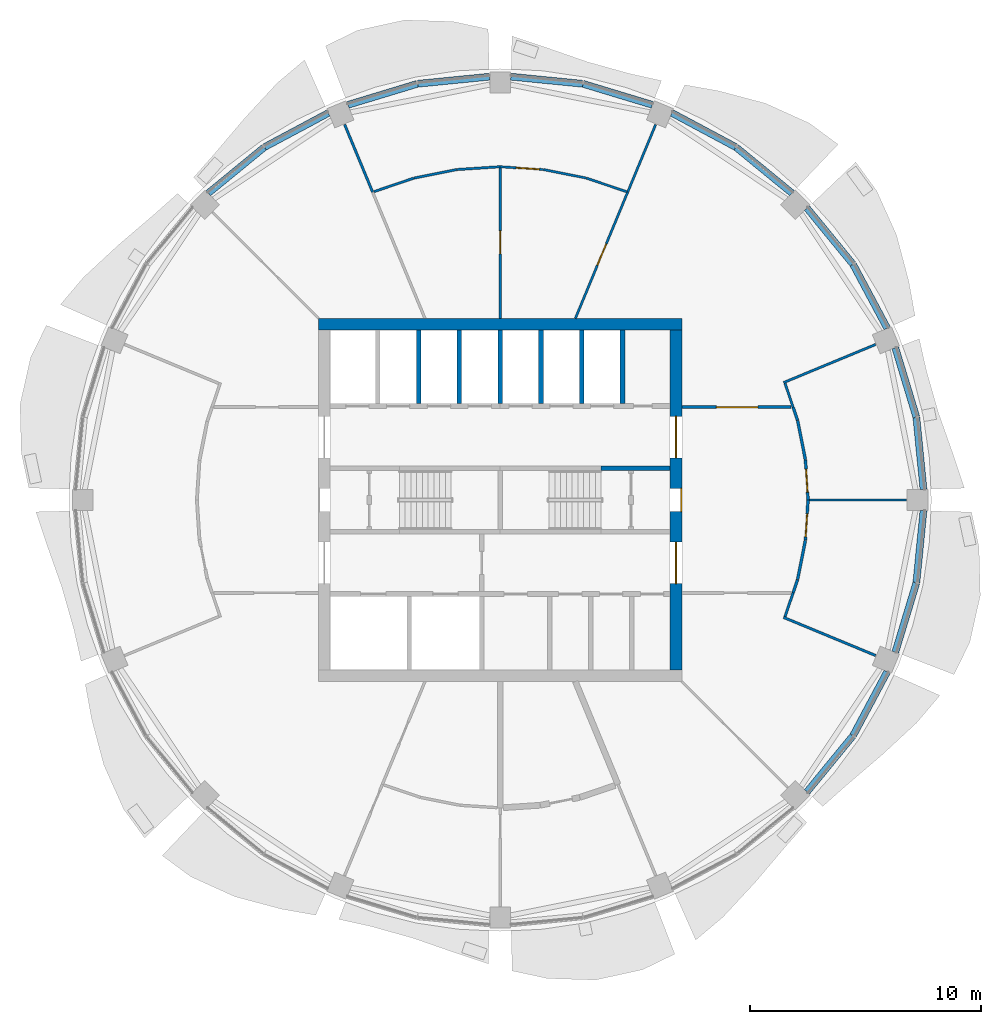
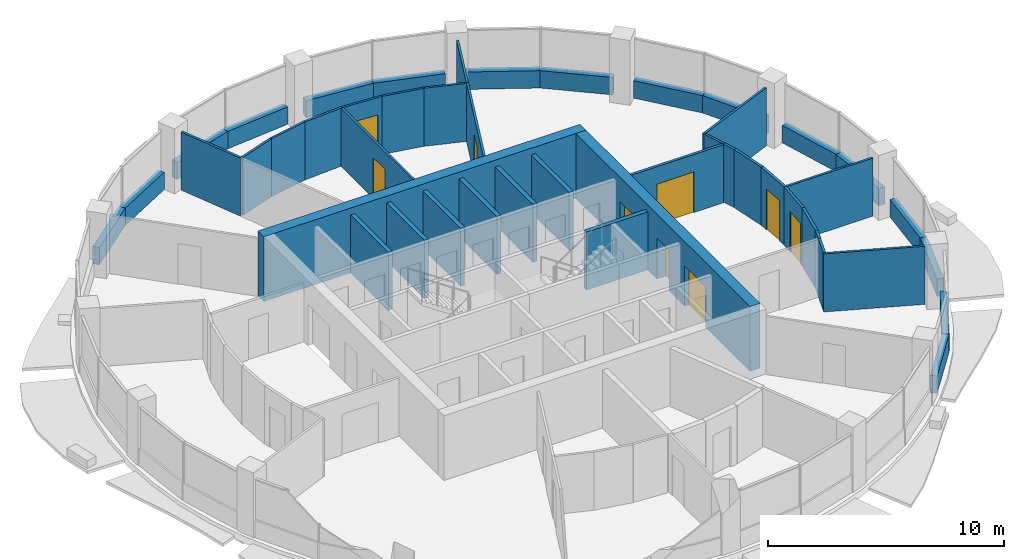
# One storey, part 10 of 15: 47 walls, 9 doors, 9 openings.
"""IFC4 building model written with IfcOpenShell, lengths in metres."""

from ifc_helpers import new_model, si_unit, direction, frame, frame_2d, origin, place, context, subcontext, project, spatial, rectangle, extrude, material, layer, layer_set, type_object, element, fill, save


model = new_model("IFC4")

# Units and contexts
model_context = context("Model", 3, precision=1e-05, world=origin(), true_north=direction((0.0, 1.0)))
body_context = subcontext(model_context, "Body", "Model", "MODEL_VIEW")
ifc_project = project(units=[si_unit("LENGTHUNIT", "METRE"), si_unit("AREAUNIT", "SQUARE_METRE"), si_unit("VOLUMEUNIT", "CUBIC_METRE"), si_unit("PLANEANGLEUNIT", "RADIAN"), si_unit("MASSUNIT", "GRAM", prefix="KILO")], contexts=[model_context])

# Site, building, storey
site_placement = place(None, origin())
site = spatial("IfcSite", under=ifc_project, at=site_placement, CompositionType="ELEMENT")
building_placement = place(site_placement, origin())
building = spatial("IfcBuilding", under=site, at=building_placement, Name="Polderwave Tower", CompositionType="ELEMENT")
storey_placement = place(building_placement, frame((0.0, 0.0, 170.89990234375)))
storey = spatial("IfcBuildingStorey", under=building, at=storey_placement, Name="L45", CompositionType="ELEMENT", Elevation=170.89990234375)

# Wall
ifc_material_1 = material(Name="Concrete C60/75", Category="concrete")
ifc_layer_1 = layer(ifc_material_1, 0.5)
ifc_layer_set_1 = layer_set([ifc_layer_1], Name="CORE WALL 500 C60/75")
wall_type_1 = type_object("IfcWallType", Name="CORE WALL 500 C60/75", PredefinedType="SHEAR", material=ifc_layer_set_1)
wall_1_placement = place(storey_placement, frame((-7.8740234375, 7.6240234375, 0.0), z_axis=(0.0, 0.0, 1.0), x_axis=(1.0, 0.0, 0.0)))
element("IfcWall", 1, at=wall_1_placement, inside=storey, type_object=wall_type_1, Name="ST-CORE-L45-N", PredefinedType="SHEAR", context=body_context, shape_type="SweptSolid", body=[
    extrude(rectangle(XDim=15.748046875, YDim=0.5, at=frame_2d((7.8740234375, 0.0))), origin(), (0.0, 0.0, 1.0), 3.35009765625),
])

# Wall, openings, doors
wall_2_placement = place(storey_placement, frame((7.6240234375, -7.3740234375, 0.0), z_axis=(0.0, 0.0, 1.0), x_axis=(0.0, 1.0, 0.0)))
wall_2 = element("IfcWall", 2, at=wall_2_placement, inside=storey, type_object=wall_type_1, Name="ST-CORE-L45-E", PredefinedType="SHEAR", context=body_context, shape_type="SweptSolid", body=[
    extrude(rectangle(XDim=14.748046875, YDim=0.5, at=frame_2d((7.3740234375, 0.0))), origin(), (0.0, 0.0, 1.0), 3.35009765625),
])
opening_1_placement = place(wall_2_placement, frame((6.8740234375, 0.0, 0.0)))
opening_1 = element("IfcOpeningElement", 3, at=opening_1_placement, cuts=wall_2, Name="Opening L45-D23", PredefinedType="OPENING", context=body_context, shape_type="SweptSolid", body=[
    extrude(rectangle(XDim=1.0, YDim=2.10009765625, at=frame_2d((0.5, 1.050048828125))), frame((0.0, 0.260009765625, 0.0), z_axis=(0.0, -1.0, 0.0), x_axis=(1.0, 0.0, 0.0)), (0.0, 0.0, 1.0), 0.52001953125),
])
opening_2_placement = place(wall_2_placement, frame((3.74951171875, 0.0, 0.0)))
opening_2 = element("IfcOpeningElement", 4, at=opening_2_placement, cuts=wall_2, Name="Opening L45-D24", PredefinedType="OPENING", context=body_context, shape_type="SweptSolid", body=[
    extrude(rectangle(XDim=1.800048828125, YDim=2.10009765625, at=frame_2d((0.89990234375, 1.050048828125))), frame((0.0, 0.260009765625, 0.0), z_axis=(0.0, -1.0, 0.0), x_axis=(1.0, 0.0, 0.0)), (0.0, 0.0, 1.0), 0.52001953125),
])
opening_3_placement = place(wall_2_placement, frame((9.198486328125, 0.0, 0.0)))
opening_3 = element("IfcOpeningElement", 5, at=opening_3_placement, cuts=wall_2, Name="Opening L45-D25", PredefinedType="OPENING", context=body_context, shape_type="SweptSolid", body=[
    extrude(rectangle(XDim=1.800048828125, YDim=2.10009765625, at=frame_2d((0.89990234375, 1.050048828125))), frame((0.0, 0.260009765625, 0.0), z_axis=(0.0, -1.0, 0.0), x_axis=(1.0, 0.0, 0.0)), (0.0, 0.0, 1.0), 0.52001953125),
])
ifc_material_2 = material(Name="Steel fire door", Category="steel")
door_type_1 = type_object("IfcDoorType", Name="Lobby entry door pair 1800", OperationType="DOUBLE_DOOR_SINGLE_SWING", PredefinedType="DOOR", material=ifc_material_2)
door_1_placement = place(opening_2_placement, frame((1.800048828125, 0.0, 0.0), z_axis=(0.0, 0.0, 1.0), x_axis=(-1.0, 0.0, 0.0)))
door_1 = element("IfcDoor", 6, at=door_1_placement, inside=storey, type_object=door_type_1, Name="South lobby entry door", OperationType="DOUBLE_DOOR_SINGLE_SWING", OverallHeight=2.10009765625, OverallWidth=1.800048828125, PredefinedType="DOOR", context=body_context, shape_type="SweptSolid", body=[
    extrude(rectangle(XDim=1.800048828125, YDim=2.10009765625, at=frame_2d((0.89990234375, 1.050048828125))), frame((0.0, 0.02490234375, 0.0), z_axis=(0.0, -1.0, 0.0), x_axis=(1.0, 0.0, 0.0)), (0.0, 0.0, 1.0), 0.050048828125),
])
fill(opening_2, door_1)
door_2_placement = place(opening_3_placement, frame((1.800048828125, 0.0, 0.0), z_axis=(0.0, 0.0, 1.0), x_axis=(-1.0, 0.0, 0.0)))
door_2 = element("IfcDoor", 7, at=door_2_placement, inside=storey, type_object=door_type_1, Name="North lobby entry door", OperationType="DOUBLE_DOOR_SINGLE_SWING", OverallHeight=2.10009765625, OverallWidth=1.800048828125, PredefinedType="DOOR", context=body_context, shape_type="SweptSolid", body=[
    extrude(rectangle(XDim=1.800048828125, YDim=2.10009765625, at=frame_2d((0.89990234375, 1.050048828125))), frame((0.0, 0.02490234375, 0.0), z_axis=(0.0, -1.0, 0.0), x_axis=(1.0, 0.0, 0.0)), (0.0, 0.0, 1.0), 0.050048828125),
])
fill(opening_3, door_2)
door_type_2 = type_object("IfcDoorType", Name="Stair door 1000", OperationType="NOTDEFINED", PredefinedType="DOOR", material=ifc_material_2)
door_3_placement = place(opening_1_placement, frame((1.0, 0.0, 0.0), z_axis=(0.0, 0.0, 1.0), x_axis=(-1.0, 0.0, 0.0)))
door_3 = element("IfcDoor", 8, at=door_3_placement, inside=storey, type_object=door_type_2, Name="Stair B entry door", OperationType="SINGLE_SWING_LEFT", OverallHeight=2.10009765625, OverallWidth=1.0, PredefinedType="DOOR", context=body_context, shape_type="SweptSolid", body=[
    extrude(rectangle(XDim=1.0, YDim=2.10009765625, at=frame_2d((0.5, 1.050048828125))), frame((0.0, 0.25, 0.0), z_axis=(0.0, -1.0, 0.0), x_axis=(1.0, 0.0, 0.0)), (0.0, 0.0, 1.0), 0.050048828125),
])
fill(opening_1, door_3)

# Walls
ifc_material_3 = material(Name="Concrete C50/60 (board-marked)", Category="concrete")
ifc_layer_2 = layer(ifc_material_3, 0.300048828125)
ifc_layer_set_2 = layer_set([ifc_layer_2], Name="Concrete spandrel upstand C50/60")
wall_type_2 = type_object("IfcWallType", Name="Concrete spandrel upstand C50/60", PredefinedType="SOLIDWALL", material=ifc_layer_set_2)
wall_3_placement = place(storey_placement, frame((18.3544921875, 0.4638671875, 0.0), z_axis=(0.0, 0.0, 1.0), x_axis=(-0.098188848083, 0.995167799978, 0.0)))
element("IfcWall", 9, at=wall_3_placement, inside=storey, type_object=wall_type_2, Name="Spandrel L45 1a", PredefinedType="SOLIDWALL", context=body_context, shape_type="SweptSolid", body=[
    extrude(rectangle(XDim=3.12548828125, YDim=0.300048828125, at=frame_2d((1.562744140625, 0.0))), origin(), (0.0, 0.0, 1.0), 0.900146484375),
])
wall_4_placement = place(storey_placement, frame((18.04150390625, 3.603515625, 0.0), z_axis=(0.0, 0.0, 1.0), x_axis=(-0.290083245834, 0.957001416136, 0.0)))
element("IfcWall", 10, at=wall_4_placement, inside=storey, type_object=wall_type_2, Name="Spandrel L45 1b", PredefinedType="SOLIDWALL", context=body_context, shape_type="SweptSolid", body=[
    extrude(rectangle(XDim=3.126708984375, YDim=0.300048828125, at=frame_2d((1.5634765625, 0.0))), origin(), (0.0, 0.0, 1.0), 0.900146484375),
])
wall_5_placement = place(storey_placement, frame((16.77880859375, 7.4521484375, 0.0), z_axis=(0.0, 0.0, 1.0), x_axis=(-0.47120441036, 0.882024038027, 0.0)))
element("IfcWall", 11, at=wall_5_placement, inside=storey, type_object=wall_type_2, Name="Spandrel L45 2a", PredefinedType="SOLIDWALL", context=body_context, shape_type="SweptSolid", body=[
    extrude(rectangle(XDim=3.125244140625, YDim=0.300048828125, at=frame_2d((1.5625, 0.0))), origin(), (0.0, 0.0, 1.0), 0.900146484375),
])
for number, where, z_axis, x_axis, name in (
    (12, (15.28955078125, 10.233642578125, 0.0), (0.0, 0.0, 1.0), (-0.634198158195, 0.773170547901, 0.0), "Spandrel L45 2b"),
    (13, (12.6513671875, 13.306396484375, 0.0), (0.0, 0.0, 1.0), (-0.773170547901, 0.634198158195, 0.0), "Spandrel L45 3a"),
):
    element("IfcWall", number, at=place(storey_placement, frame(where, z_axis=z_axis, x_axis=x_axis)), inside=storey, type_object=wall_type_2, Name=name, PredefinedType="SOLIDWALL", context=body_context, shape_type="SweptSolid", body=[
        extrude(rectangle(XDim=3.126953125, YDim=0.300048828125, at=frame_2d((1.5634765625, 0.0))), origin(), (0.0, 0.0, 1.0), 0.900146484375),
    ])
wall_6_placement = place(storey_placement, frame((10.208740234375, 15.30615234375, 0.0), z_axis=(0.0, 0.0, 1.0), x_axis=(-0.882024038027, 0.47120441036, 0.0)))
element("IfcWall", 14, at=wall_6_placement, inside=storey, type_object=wall_type_2, Name="Spandrel L45 3b", PredefinedType="SOLIDWALL", context=body_context, shape_type="SweptSolid", body=[
    extrude(rectangle(XDim=3.125244140625, YDim=0.300048828125, at=frame_2d((1.5625, 0.0))), origin(), (0.0, 0.0, 1.0), 0.900146484375),
])
wall_7_placement = place(storey_placement, frame((6.595703125, 17.134521484375, 0.0), z_axis=(0.0, 0.0, 1.0), x_axis=(-0.957001416136, 0.290083245834, 0.0)))
element("IfcWall", 15, at=wall_7_placement, inside=storey, type_object=wall_type_2, Name="Spandrel L45 4a", PredefinedType="SOLIDWALL", context=body_context, shape_type="SweptSolid", body=[
    extrude(rectangle(XDim=3.126708984375, YDim=0.300048828125, at=frame_2d((1.5634765625, 0.0))), origin(), (0.0, 0.0, 1.0), 0.900146484375),
])
for number, where, z_axis, x_axis, name in (
    (16, (3.57421875, 18.047607421875, 0.0), (0.0, 0.0, 1.0), (-0.995167799978, 0.098188848083, 0.0), "Spandrel L45 4b"),
    (17, (-0.4638671875, 18.3544921875, 0.0), (0.0, 0.0, 1.0), (-0.995167799978, -0.098188848083, 0.0), "Spandrel L45 5a"),
):
    element("IfcWall", number, at=place(storey_placement, frame(where, z_axis=z_axis, x_axis=x_axis)), inside=storey, type_object=wall_type_2, Name=name, PredefinedType="SOLIDWALL", context=body_context, shape_type="SweptSolid", body=[
        extrude(rectangle(XDim=3.12548828125, YDim=0.300048828125, at=frame_2d((1.562744140625, 0.0))), origin(), (0.0, 0.0, 1.0), 0.900146484375),
    ])
wall_8_placement = place(storey_placement, frame((-3.603515625, 18.04150390625, 0.0), z_axis=(0.0, 0.0, 1.0), x_axis=(-0.957001416136, -0.290083245834, 0.0)))
element("IfcWall", 18, at=wall_8_placement, inside=storey, type_object=wall_type_2, Name="Spandrel L45 5b", PredefinedType="SOLIDWALL", context=body_context, shape_type="SweptSolid", body=[
    extrude(rectangle(XDim=3.126708984375, YDim=0.300048828125, at=frame_2d((1.5634765625, 0.0))), origin(), (0.0, 0.0, 1.0), 0.900146484375),
])
wall_9_placement = place(storey_placement, frame((-7.4521484375, 16.77880859375, 0.0), z_axis=(0.0, 0.0, 1.0), x_axis=(-0.882024038027, -0.47120441036, 0.0)))
element("IfcWall", 19, at=wall_9_placement, inside=storey, type_object=wall_type_2, Name="Spandrel L45 6a", PredefinedType="SOLIDWALL", context=body_context, shape_type="SweptSolid", body=[
    extrude(rectangle(XDim=3.125244140625, YDim=0.300048828125, at=frame_2d((1.5625, 0.0))), origin(), (0.0, 0.0, 1.0), 0.900146484375),
])
for number, where, z_axis, x_axis, name in (
    (20, (-10.233642578125, 15.28955078125, 0.0), (0.0, 0.0, 1.0), (-0.773170547901, -0.634198158195, 0.0), "Spandrel L45 6b"),
    (21, (13.306396484375, -12.6513671875, 0.0), (0.0, 0.0, 1.0), (0.634198158195, 0.773170547901, 0.0), "Spandrel L45 15a"),
):
    element("IfcWall", number, at=place(storey_placement, frame(where, z_axis=z_axis, x_axis=x_axis)), inside=storey, type_object=wall_type_2, Name=name, PredefinedType="SOLIDWALL", context=body_context, shape_type="SweptSolid", body=[
        extrude(rectangle(XDim=3.126953125, YDim=0.300048828125, at=frame_2d((1.5634765625, 0.0))), origin(), (0.0, 0.0, 1.0), 0.900146484375),
    ])
wall_10_placement = place(storey_placement, frame((15.30615234375, -10.208740234375, 0.0), z_axis=(0.0, 0.0, 1.0), x_axis=(0.47120441036, 0.882024038027, 0.0)))
element("IfcWall", 22, at=wall_10_placement, inside=storey, type_object=wall_type_2, Name="Spandrel L45 15b", PredefinedType="SOLIDWALL", context=body_context, shape_type="SweptSolid", body=[
    extrude(rectangle(XDim=3.125244140625, YDim=0.300048828125, at=frame_2d((1.5625, 0.0))), origin(), (0.0, 0.0, 1.0), 0.900146484375),
])
wall_11_placement = place(storey_placement, frame((17.134521484375, -6.595703125, 0.0), z_axis=(0.0, 0.0, 1.0), x_axis=(0.290083245834, 0.957001416136, 0.0)))
element("IfcWall", 23, at=wall_11_placement, inside=storey, type_object=wall_type_2, Name="Spandrel L45 16a", PredefinedType="SOLIDWALL", context=body_context, shape_type="SweptSolid", body=[
    extrude(rectangle(XDim=3.126708984375, YDim=0.300048828125, at=frame_2d((1.5634765625, 0.0))), origin(), (0.0, 0.0, 1.0), 0.900146484375),
])
wall_12_placement = place(storey_placement, frame((18.047607421875, -3.57421875, 0.0), z_axis=(0.0, 0.0, 1.0), x_axis=(0.098188848083, 0.995167799978, 0.0)))
element("IfcWall", 24, at=wall_12_placement, inside=storey, type_object=wall_type_2, Name="Spandrel L45 16b", PredefinedType="SOLIDWALL", context=body_context, shape_type="SweptSolid", body=[
    extrude(rectangle(XDim=3.12548828125, YDim=0.300048828125, at=frame_2d((1.562744140625, 0.0))), origin(), (0.0, 0.0, 1.0), 0.900146484375),
])
ifc_material_4 = material(Name="Concrete C50/60", Category="concrete")
ifc_layer_3 = layer(ifc_material_4, 0.199951171875)
ifc_layer_set_3 = layer_set([ifc_layer_3], Name="Core web wall 200")
wall_type_3 = type_object("IfcWallType", Name="Core web wall 200", PredefinedType="SHEAR", material=ifc_layer_set_3)
wall_13_placement = place(storey_placement, frame((4.3740234375, 1.375, 0.0), z_axis=(0.0, 0.0, 1.0), x_axis=(1.0, 0.0, 0.0)))
element("IfcWall", 25, at=wall_13_placement, inside=storey, type_object=wall_type_3, Name="L45 north stair wall 4", PredefinedType="SHEAR", context=body_context, shape_type="SweptSolid", body=[
    extrude(rectangle(XDim=3.0, YDim=0.199951171875, at=frame_2d((1.5, 0.0))), origin(), (0.0, 0.0, 1.0), 3.0),
])
ifc_material_5 = material(Name="Fire-resisting board on steel studs", Category="steel")
ifc_layer_4 = layer(ifc_material_5, 0.125)
ifc_layer_set_4 = layer_set([ifc_layer_4], Name="Corridor wall 125 mm EI 60")
wall_type_4 = type_object("IfcWallType", Name="Corridor wall 125 mm EI 60", PredefinedType="PARTITIONING", material=ifc_layer_set_4)
wall_14_placement = place(storey_placement, frame((12.701904296875, 4.0244140625, 0.0), z_axis=(0.0, 0.0, 1.0), x_axis=(0.321374914787, -0.946952038989, 0.0)))
element("IfcWall", 26, at=wall_14_placement, inside=storey, type_object=wall_type_4, Name="IN-L45-W001", PredefinedType="PARTITIONING", context=body_context, shape_type="SweptSolid", body=[
    extrude(rectangle(XDim=0.59716796875, YDim=0.125, at=frame_2d((0.298583984375, 0.0))), origin(), (0.0, 0.0, 1.0), 3.0),
])
wall_15_placement = place(storey_placement, frame((12.89599609375, 3.451171875, 0.0), z_axis=(0.0, 0.0, 1.0), x_axis=(0.195116516296, -0.980780069673, 0.0)))
element("IfcWall", 27, at=wall_15_placement, inside=storey, type_object=wall_type_4, Name="IN-L45-W002", PredefinedType="PARTITIONING", context=body_context, shape_type="SweptSolid", body=[
    extrude(rectangle(XDim=1.738037109375, YDim=0.125, at=frame_2d((0.869140625, 0.0))), origin(), (0.0, 0.0, 1.0), 3.0),
])

# Wall, opening, door
wall_16_placement = place(storey_placement, frame((13.236083984375, 1.73828125, 0.0), z_axis=(0.0, 0.0, 1.0), x_axis=(0.065449256286, -0.997855898841, 0.0)))
wall_16 = element("IfcWall", 28, at=wall_16_placement, inside=storey, type_object=wall_type_4, Name="IN-L45-W003", PredefinedType="PARTITIONING", context=body_context, shape_type="SweptSolid", body=[
    extrude(rectangle(XDim=1.741943359375, YDim=0.125, at=frame_2d((0.87109375, 0.0))), origin(), (0.0, 0.0, 1.0), 3.0),
])
opening_4_placement = place(wall_16_placement, frame((0.39990234375, 0.0, 0.0)))
opening_4 = element("IfcOpeningElement", 29, at=opening_4_placement, cuts=wall_16, Name="Opening L45-D50", PredefinedType="OPENING", context=body_context, shape_type="SweptSolid", body=[
    extrude(rectangle(XDim=1.0, YDim=2.10009765625, at=frame_2d((0.5, 1.050048828125))), frame((0.0, 0.072509765625, 0.0), z_axis=(0.0, -1.0, 0.0), x_axis=(1.0, 0.0, 0.0)), (0.0, 0.0, 1.0), 0.14501953125),
])
ifc_material_6 = material(Name="Timber fire door leaf", Category="wood")
door_type_3 = type_object("IfcDoorType", Name="Fire door FD30S 1000 x 2100", OperationType="NOTDEFINED", PredefinedType="DOOR", material=ifc_material_6)
door_4_placement = place(opening_4_placement, origin())
door_4 = element("IfcDoor", 30, at=door_4_placement, inside=storey, type_object=door_type_3, Name="Door L45-D50", OperationType="SINGLE_SWING_RIGHT", OverallHeight=2.10009765625, OverallWidth=1.0, PredefinedType="DOOR", context=body_context, shape_type="SweptSolid", body=[
    extrude(rectangle(XDim=1.0, YDim=2.10009765625, at=frame_2d((0.5, 1.050048828125))), frame((0.0, 0.02490234375, 0.0), z_axis=(0.0, -1.0, 0.0), x_axis=(1.0, 0.0, 0.0)), (0.0, 0.0, 1.0), 0.050048828125),
])
fill(opening_4, door_4)

wall_17_placement = place(storey_placement, frame((7.8740234375, 4.0244140625, 0.0), z_axis=(0.0, 0.0, 1.0), x_axis=(1.0, 0.0, 0.0)))
wall_17 = element("IfcWall", 31, at=wall_17_placement, inside=storey, type_object=wall_type_4, Name="IN-L45-W004", PredefinedType="PARTITIONING", context=body_context, shape_type="SweptSolid", body=[
    extrude(rectangle(XDim=4.74072265625, YDim=0.125, at=frame_2d((2.370361328125, 0.0))), origin(), (0.0, 0.0, 1.0), 3.0),
])
opening_5_placement = place(wall_17_placement, frame((1.5, 0.0, 0.0)))
opening_5 = element("IfcOpeningElement", 32, at=opening_5_placement, cuts=wall_17, Name="Opening L45-D51", PredefinedType="OPENING", context=body_context, shape_type="SweptSolid", body=[
    extrude(rectangle(XDim=1.800048828125, YDim=2.10009765625, at=frame_2d((0.89990234375, 1.050048828125))), frame((0.0, 0.072509765625, 0.0), z_axis=(0.0, -1.0, 0.0), x_axis=(1.0, 0.0, 0.0)), (0.0, 0.0, 1.0), 0.14501953125),
])
ifc_material_7 = material(Name="Timber fire door leaves", Category="wood")
door_type_4 = type_object("IfcDoorType", Name="Double fire door FD30S 1800 x 2100", OperationType="NOTDEFINED", PredefinedType="DOOR", material=ifc_material_7)
door_5_placement = place(opening_5_placement, origin())
door_5 = element("IfcDoor", 33, at=door_5_placement, inside=storey, type_object=door_type_4, Name="Door L45-D51", OperationType="DOUBLE_DOOR_SINGLE_SWING", OverallHeight=2.10009765625, OverallWidth=1.800048828125, PredefinedType="DOOR", context=body_context, shape_type="SweptSolid", body=[
    extrude(rectangle(XDim=1.800048828125, YDim=2.10009765625, at=frame_2d((0.89990234375, 1.050048828125))), frame((0.0, 0.02490234375, 0.0), z_axis=(0.0, -1.0, 0.0), x_axis=(1.0, 0.0, 0.0)), (0.0, 0.0, 1.0), 0.050048828125),
])
fill(opening_5, door_5)

# Walls
wall_18_placement = place(storey_placement, frame((12.893798828125, -3.458984375, 0.0), z_axis=(0.0, 0.0, 1.0), x_axis=(-0.321374914787, -0.946952038989, 0.0)))
element("IfcWall", 34, at=wall_18_placement, inside=storey, type_object=wall_type_4, Name="IN-L45-W006", PredefinedType="PARTITIONING", context=body_context, shape_type="SweptSolid", body=[
    extrude(rectangle(XDim=0.59716796875, YDim=0.125, at=frame_2d((0.298583984375, 0.0))), origin(), (0.0, 0.0, 1.0), 3.0),
])
wall_19_placement = place(storey_placement, frame((13.235107421875, -1.74658203125, 0.0), z_axis=(0.0, 0.0, 1.0), x_axis=(-0.195116516296, -0.980780069673, 0.0)))
element("IfcWall", 35, at=wall_19_placement, inside=storey, type_object=wall_type_4, Name="IN-L45-W007", PredefinedType="PARTITIONING", context=body_context, shape_type="SweptSolid", body=[
    extrude(rectangle(XDim=1.738037109375, YDim=0.125, at=frame_2d((0.869140625, 0.0))), origin(), (0.0, 0.0, 1.0), 3.0),
])

# Wall, opening, door
wall_20_placement = place(storey_placement, frame((13.35009765625, 0.0, 0.0), z_axis=(0.0, 0.0, 1.0), x_axis=(-0.065449256286, -0.997855898841, 0.0)))
wall_20 = element("IfcWall", 36, at=wall_20_placement, inside=storey, type_object=wall_type_4, Name="IN-L45-W008", PredefinedType="PARTITIONING", context=body_context, shape_type="SweptSolid", body=[
    extrude(rectangle(XDim=1.741943359375, YDim=0.125, at=frame_2d((0.87109375, 0.0))), origin(), (0.0, 0.0, 1.0), 3.0),
])
opening_6_placement = place(wall_20_placement, frame((0.60009765625, 0.0, 0.0)))
opening_6 = element("IfcOpeningElement", 37, at=opening_6_placement, cuts=wall_20, Name="Opening L45-D53", PredefinedType="OPENING", context=body_context, shape_type="SweptSolid", body=[
    extrude(rectangle(XDim=1.0, YDim=2.10009765625, at=frame_2d((0.5, 1.050048828125))), frame((0.0, 0.072509765625, 0.0), z_axis=(0.0, -1.0, 0.0), x_axis=(1.0, 0.0, 0.0)), (0.0, 0.0, 1.0), 0.14501953125),
])
door_6_placement = place(opening_6_placement, origin())
door_6 = element("IfcDoor", 38, at=door_6_placement, inside=storey, type_object=door_type_3, Name="Door L45-D53", OperationType="SINGLE_SWING_RIGHT", OverallHeight=2.10009765625, OverallWidth=1.0, PredefinedType="DOOR", context=body_context, shape_type="SweptSolid", body=[
    extrude(rectangle(XDim=1.0, YDim=2.10009765625, at=frame_2d((0.5, 1.050048828125))), frame((0.0, 0.02490234375, 0.0), z_axis=(0.0, -1.0, 0.0), x_axis=(1.0, 0.0, 0.0)), (0.0, 0.0, 1.0), 0.050048828125),
])
fill(opening_6, door_6)

ifc_material_8 = material(Name="Plasterboard on steel studs", Category="steel")
ifc_layer_5 = layer(ifc_material_8, 0.10009765625)
ifc_layer_set_5 = layer_set([ifc_layer_5], Name="Partition 100 mm plasterboard on steel studs")
wall_type_5 = type_object("IfcWallType", Name="Partition 100 mm plasterboard on steel studs", PredefinedType="PARTITIONING", material=ifc_layer_set_5)
wall_21_placement = place(storey_placement, frame((3.261474609375, 7.8740234375, 0.0), z_axis=(0.0, 0.0, 1.0), x_axis=(0.382690105068, 0.923876768559, 0.0)))
wall_21 = element("IfcWall", 39, at=wall_21_placement, inside=storey, type_object=wall_type_5, Name="IN-L45-W020", PredefinedType="PARTITIONING", context=body_context, shape_type="SweptSolid", body=[
    extrude(rectangle(XDim=5.92724609375, YDim=0.10009765625, at=frame_2d((2.963623046875, 0.0))), origin(), (0.0, 0.0, 1.0), 3.0),
])
opening_7_placement = place(wall_21_placement, frame((2.5, 0.0, 0.0)))
opening_7 = element("IfcOpeningElement", 40, at=opening_7_placement, cuts=wall_21, Name="Opening L45-D57", PredefinedType="OPENING", context=body_context, shape_type="SweptSolid", body=[
    extrude(rectangle(XDim=1.0, YDim=2.10009765625, at=frame_2d((0.5, 1.050048828125))), frame((0.0, 0.06005859375, 0.0), z_axis=(0.0, -1.0, 0.0), x_axis=(1.0, 0.0, 0.0)), (0.0, 0.0, 1.0), 0.1201171875),
])
ifc_material_9 = material(Name="Timber veneer door leaf", Category="wood")
door_type_5 = type_object("IfcDoorType", Name="Single door 1000 x 2100", OperationType="NOTDEFINED", PredefinedType="DOOR", material=ifc_material_9)
door_7_placement = place(opening_7_placement, origin())
door_7 = element("IfcDoor", 41, at=door_7_placement, inside=storey, type_object=door_type_5, Name="Door L45-D57", OperationType="SINGLE_SWING_RIGHT", OverallHeight=2.10009765625, OverallWidth=1.0, PredefinedType="DOOR", context=body_context, shape_type="SweptSolid", body=[
    extrude(rectangle(XDim=1.0, YDim=2.10009765625, at=frame_2d((0.5, 1.050048828125))), frame((0.0, 0.02490234375, 0.0), z_axis=(0.0, -1.0, 0.0), x_axis=(1.0, 0.0, 0.0)), (0.0, 0.0, 1.0), 0.050048828125),
])
fill(opening_7, door_7)

# Wall
wall_22_placement = place(storey_placement, frame((5.52978515625, 13.35009765625, 0.0), z_axis=(0.0, 0.0, 1.0), x_axis=(0.382689618566, 0.923876970079, 0.0)))
element("IfcWall", 42, at=wall_22_placement, inside=storey, type_object=wall_type_5, Name="IN-L45-W021", PredefinedType="PARTITIONING", context=body_context, shape_type="SweptSolid", body=[
    extrude(rectangle(XDim=3.169921875, YDim=0.10009765625, at=frame_2d((1.5849609375, 0.0))), origin(), (0.0, 0.0, 1.0), 3.0),
])

# Wall, opening, door
wall_23_placement = place(storey_placement, frame((0.0, 14.449951171875, 0.0), z_axis=(0.0, 0.0, 1.0), x_axis=(0.997862900294, -0.065342422802, 0.0)))
wall_23 = element("IfcWall", 43, at=wall_23_placement, inside=storey, type_object=wall_type_5, Name="IN-L45-W022", PredefinedType="PARTITIONING", context=body_context, shape_type="SweptSolid", body=[
    extrude(rectangle(XDim=1.886962890625, YDim=0.10009765625, at=frame_2d((0.943359375, 0.0))), origin(), (0.0, 0.0, 1.0), 3.0),
])
opening_8_placement = place(wall_23_placement, frame((0.699951171875, 0.0, 0.0)))
opening_8 = element("IfcOpeningElement", 44, at=opening_8_placement, cuts=wall_23, Name="Opening L45-D58", PredefinedType="OPENING", context=body_context, shape_type="SweptSolid", body=[
    extrude(rectangle(XDim=1.0, YDim=2.10009765625, at=frame_2d((0.5, 1.050048828125))), frame((0.0, 0.06005859375, 0.0), z_axis=(0.0, -1.0, 0.0), x_axis=(1.0, 0.0, 0.0)), (0.0, 0.0, 1.0), 0.1201171875),
])
door_8_placement = place(opening_8_placement, origin())
door_8 = element("IfcDoor", 45, at=door_8_placement, inside=storey, type_object=door_type_5, Name="Door L45-D58", OperationType="SINGLE_SWING_RIGHT", OverallHeight=2.10009765625, OverallWidth=1.0, PredefinedType="DOOR", context=body_context, shape_type="SweptSolid", body=[
    extrude(rectangle(XDim=1.0, YDim=2.10009765625, at=frame_2d((0.5, 1.050048828125))), frame((0.0, 0.02490234375, 0.0), z_axis=(0.0, -1.0, 0.0), x_axis=(1.0, 0.0, 0.0)), (0.0, 0.0, 1.0), 0.050048828125),
])
fill(opening_8, door_8)

# Walls
wall_24_placement = place(storey_placement, frame((1.889404296875, 14.32568359375, 0.0), z_axis=(0.0, 0.0, 1.0), x_axis=(0.980789493394, -0.195069140684, 0.0)))
element("IfcWall", 46, at=wall_24_placement, inside=storey, type_object=wall_type_5, Name="IN-L45-W023", PredefinedType="PARTITIONING", context=body_context, shape_type="SweptSolid", body=[
    extrude(rectangle(XDim=1.883544921875, YDim=0.10009765625, at=frame_2d((0.94189453125, 0.0))), origin(), (0.0, 0.0, 1.0), 3.0),
])
wall_25_placement = place(storey_placement, frame((3.742919921875, 13.95654296875, 0.0), z_axis=(0.0, 0.0, 1.0), x_axis=(0.946938181516, -0.321415743839, 0.0)))
element("IfcWall", 47, at=wall_25_placement, inside=storey, type_object=wall_type_5, Name="IN-L45-W024", PredefinedType="PARTITIONING", context=body_context, shape_type="SweptSolid", body=[
    extrude(rectangle(XDim=1.833740234375, YDim=0.10009765625, at=frame_2d((0.9169921875, 0.0))), origin(), (0.0, 0.0, 1.0), 3.0),
])
ifc_material_10 = material(Name="Moisture-resistant board on steel studs, tiled", Category="steel")
ifc_layer_6 = layer(ifc_material_10, 0.10498046875)
ifc_layer_set_6 = layer_set([ifc_layer_6], Name="Partition 105 mm wet room board and tile")
wall_type_6 = type_object("IfcWallType", Name="Partition 105 mm wet room board and tile", PredefinedType="PARTITIONING", material=ifc_layer_set_6)
wall_26_placement = place(storey_placement, frame((12.285400390625, 5.088623046875, 0.0), z_axis=(0.0, 0.0, 1.0), x_axis=(0.923865378524, 0.382717601325, 0.0)))
element("IfcWall", 48, at=wall_26_placement, inside=storey, type_object=wall_type_6, Name="IN-L45-W017", PredefinedType="PARTITIONING", context=body_context, shape_type="SweptSolid", body=[
    extrude(rectangle(XDim=4.322509765625, YDim=0.10498046875, at=frame_2d((2.1611328125, 0.0))), origin(), (0.0, 0.0, 1.0), 3.0),
])
wall_27_placement = place(storey_placement, frame((12.701904296875, 4.0244140625, 0.0), z_axis=(0.0, 0.0, 1.0), x_axis=(-0.321468654442, 0.946920220616, 0.0)))
element("IfcWall", 49, at=wall_27_placement, inside=storey, type_object=wall_type_6, Name="IN-L45-W018", PredefinedType="PARTITIONING", context=body_context, shape_type="SweptSolid", body=[
    extrude(rectangle(XDim=1.089111328125, YDim=0.10498046875, at=frame_2d((0.54443359375, 0.0))), origin(), (0.0, 0.0, 1.0), 3.0),
])
wall_28_placement = place(storey_placement, frame((17.6201171875, 0.0, 0.0), z_axis=(0.0, 0.0, 1.0), x_axis=(-1.0, 0.0, 0.0)))
element("IfcWall", 50, at=wall_28_placement, inside=storey, type_object=wall_type_6, Name="IN-L45-W019", PredefinedType="PARTITIONING", context=body_context, shape_type="SweptSolid", body=[
    extrude(rectangle(XDim=4.2041015625, YDim=0.10498046875, at=frame_2d((2.10205078125, 0.0))), origin(), (0.0, 0.0, 1.0), 3.0),
])

# Wall, opening, door
wall_29_placement = place(storey_placement, frame((0.0, 7.8740234375, 0.0), z_axis=(0.0, 0.0, 1.0), x_axis=(0.0, 1.0, 0.0)))
wall_29 = element("IfcWall", 51, at=wall_29_placement, inside=storey, type_object=wall_type_6, Name="IN-L45-W025", PredefinedType="PARTITIONING", context=body_context, shape_type="SweptSolid", body=[
    extrude(rectangle(XDim=6.519775390625, YDim=0.10498046875, at=frame_2d((3.259765625, 0.0))), origin(), (0.0, 0.0, 1.0), 3.0),
])
opening_9_placement = place(wall_29_placement, frame((2.800048828125, 0.0, 0.0)))
opening_9 = element("IfcOpeningElement", 52, at=opening_9_placement, cuts=wall_29, Name="Opening L45-D59", PredefinedType="OPENING", context=body_context, shape_type="SweptSolid", body=[
    extrude(rectangle(XDim=1.0, YDim=2.10009765625, at=frame_2d((0.5, 1.050048828125))), frame((0.0, 0.0625, 0.0), z_axis=(0.0, -1.0, 0.0), x_axis=(1.0, 0.0, 0.0)), (0.0, 0.0, 1.0), 0.125),
])
door_9_placement = place(opening_9_placement, origin())
door_9 = element("IfcDoor", 53, at=door_9_placement, inside=storey, type_object=door_type_5, Name="Door L45-D59", OperationType="SINGLE_SWING_RIGHT", OverallHeight=2.10009765625, OverallWidth=1.0, PredefinedType="DOOR", context=body_context, shape_type="SweptSolid", body=[
    extrude(rectangle(XDim=1.0, YDim=2.10009765625, at=frame_2d((0.5, 1.050048828125))), frame((0.0, 0.02490234375, 0.0), z_axis=(0.0, -1.0, 0.0), x_axis=(1.0, 0.0, 0.0)), (0.0, 0.0, 1.0), 0.050048828125),
])
fill(opening_9, door_9)

# Walls
wall_30_placement = place(storey_placement, frame((-3.7431640625, 13.95654296875, 0.0), z_axis=(0.0, 0.0, 1.0), x_axis=(-0.946932980831, -0.321431065415, 0.0)))
element("IfcWall", 54, at=wall_30_placement, inside=storey, type_object=wall_type_6, Name="IN-L45-W026", PredefinedType="PARTITIONING", context=body_context, shape_type="SweptSolid", body=[
    extrude(rectangle(XDim=1.828125, YDim=0.10498046875, at=frame_2d((0.9140625, 0.0))), origin(), (0.0, 0.0, 1.0), 3.0),
])
wall_31_placement = place(storey_placement, frame((-1.889404296875, 14.32568359375, 0.0), z_axis=(0.0, 0.0, 1.0), x_axis=(-0.980784560384, -0.195093941763, 0.0)))
element("IfcWall", 55, at=wall_31_placement, inside=storey, type_object=wall_type_6, Name="IN-L45-W027", PredefinedType="PARTITIONING", context=body_context, shape_type="SweptSolid", body=[
    extrude(rectangle(XDim=1.88330078125, YDim=0.10498046875, at=frame_2d((0.941650390625, 0.0))), origin(), (0.0, 0.0, 1.0), 3.0),
])
wall_32_placement = place(storey_placement, frame((0.0, 14.449951171875, 0.0), z_axis=(0.0, 0.0, 1.0), x_axis=(-0.997862900294, -0.065342422802, 0.0)))
element("IfcWall", 56, at=wall_32_placement, inside=storey, type_object=wall_type_6, Name="IN-L45-W028", PredefinedType="PARTITIONING", context=body_context, shape_type="SweptSolid", body=[
    extrude(rectangle(XDim=1.886962890625, YDim=0.10498046875, at=frame_2d((0.943359375, 0.0))), origin(), (0.0, 0.0, 1.0), 3.0),
])
ifc_material_11 = material(Name="Acoustic double plasterboard on steel studs", Category="steel")
ifc_layer_7 = layer(ifc_material_11, 0.110107421875)
ifc_layer_set_7 = layer_set([ifc_layer_7], Name="Partition 110 mm acoustic double board")
wall_type_7 = type_object("IfcWallType", Name="Partition 110 mm acoustic double board", PredefinedType="PARTITIONING", material=ifc_layer_set_7)
wall_33_placement = place(storey_placement, frame((-5.52978515625, 13.35009765625, 0.0), z_axis=(0.0, 0.0, 1.0), x_axis=(-0.382689618566, 0.923876970079, 0.0)))
element("IfcWall", 57, at=wall_33_placement, inside=storey, type_object=wall_type_7, Name="IN-L45-W029", PredefinedType="PARTITIONING", context=body_context, shape_type="SweptSolid", body=[
    extrude(rectangle(XDim=3.169921875, YDim=0.110107421875, at=frame_2d((1.5849609375, 0.0))), origin(), (0.0, 0.0, 1.0), 3.0),
])
wall_34_placement = place(storey_placement, frame((12.282958984375, -5.087890625, 0.0), z_axis=(0.0, 0.0, 1.0), x_axis=(0.923888181348, -0.382662551559, 0.0)))
element("IfcWall", 58, at=wall_34_placement, inside=storey, type_object=wall_type_7, Name="IN-L45-W049", PredefinedType="PARTITIONING", context=body_context, shape_type="SweptSolid", body=[
    extrude(rectangle(XDim=4.324951171875, YDim=0.110107421875, at=frame_2d((2.16259765625, 0.0))), origin(), (0.0, 0.0, 1.0), 3.0),
])
wall_35_placement = place(storey_placement, frame((12.701904296875, -4.0244140625, 0.0), z_axis=(0.0, 0.0, 1.0), x_axis=(-0.321346724307, -0.946961605756, 0.0)))
element("IfcWall", 59, at=wall_35_placement, inside=storey, type_object=wall_type_7, Name="IN-L45-W050", PredefinedType="PARTITIONING", context=body_context, shape_type="SweptSolid", body=[
    extrude(rectangle(XDim=1.08642578125, YDim=0.110107421875, at=frame_2d((0.543212890625, 0.0))), origin(), (0.0, 0.0, 1.0), 3.0),
])
ifc_material_12 = material(Name="Gypsum shaft wall system")
ifc_layer_8 = layer(ifc_material_12, 0.199951171875)
ifc_layer_set_8 = layer_set([ifc_layer_8], Name="Shaft wall 200")
wall_type_8 = type_object("IfcWallType", Name="Shaft wall 200", PredefinedType="PARTITIONING", material=ifc_layer_set_8)
for number, where, z_axis, x_axis, name in (
    (60, (-3.537109375, 4.174072265625, 0.0), (0.0, 0.0, 1.0), (0.0, 1.0, 0.0), "L45 lift shaft wall N2"),
    (61, (-1.7685546875, 4.174072265625, 0.0), (0.0, 0.0, 1.0), (0.0, 1.0, 0.0), "L45 lift shaft wall N3"),
    (62, (0.0, 4.174072265625, 0.0), (0.0, 0.0, 1.0), (0.0, 1.0, 0.0), "L45 lift shaft wall N4"),
    (63, (1.7685546875, 4.174072265625, 0.0), (0.0, 0.0, 1.0), (0.0, 1.0, 0.0), "L45 lift shaft wall N5"),
    (64, (3.537109375, 4.174072265625, 0.0), (0.0, 0.0, 1.0), (0.0, 1.0, 0.0), "L45 lift shaft wall N6"),
    (65, (5.305419921875, 4.174072265625, 0.0), (0.0, 0.0, 1.0), (0.0, 1.0, 0.0), "L45 lift shaft wall N7"),
):
    element("IfcWall", number, at=place(storey_placement, frame(where, z_axis=z_axis, x_axis=x_axis)), inside=storey, type_object=wall_type_8, Name=name, PredefinedType="PARTITIONING", context=body_context, shape_type="SweptSolid", body=[
        extrude(rectangle(XDim=3.199951171875, YDim=0.199951171875, at=frame_2d((1.60009765625, 0.0))), origin(), (0.0, 0.0, 1.0), 3.0),
    ])

save(model, "model.ifc")
